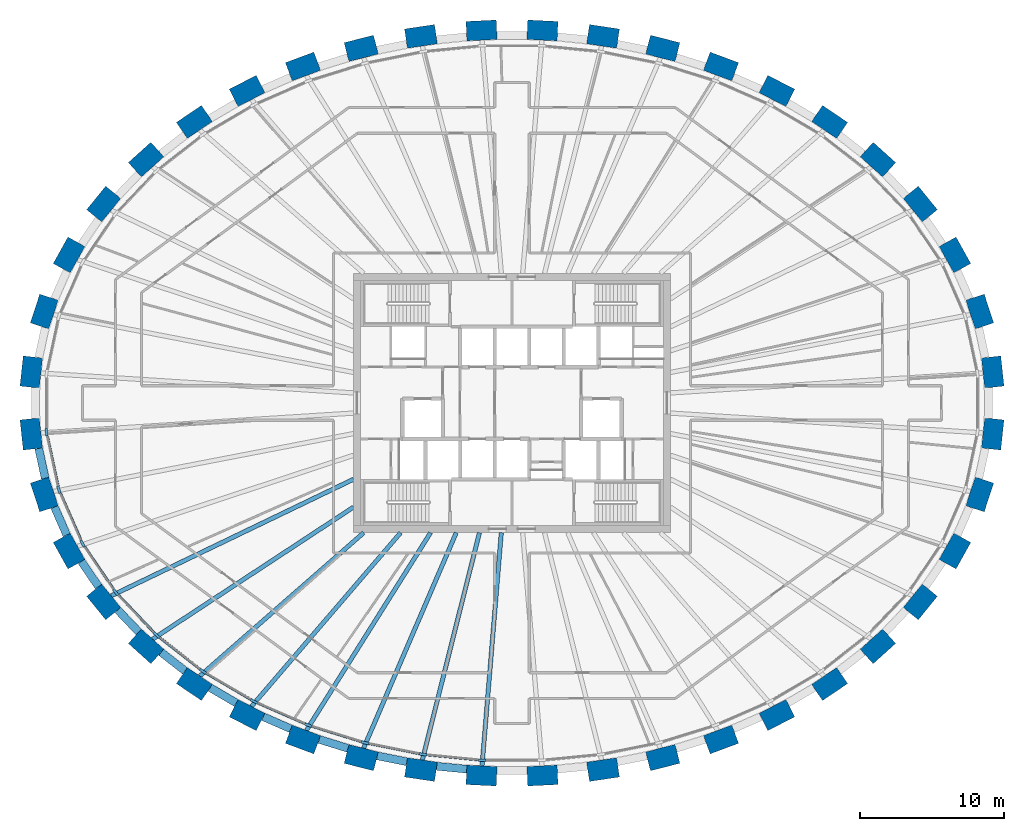
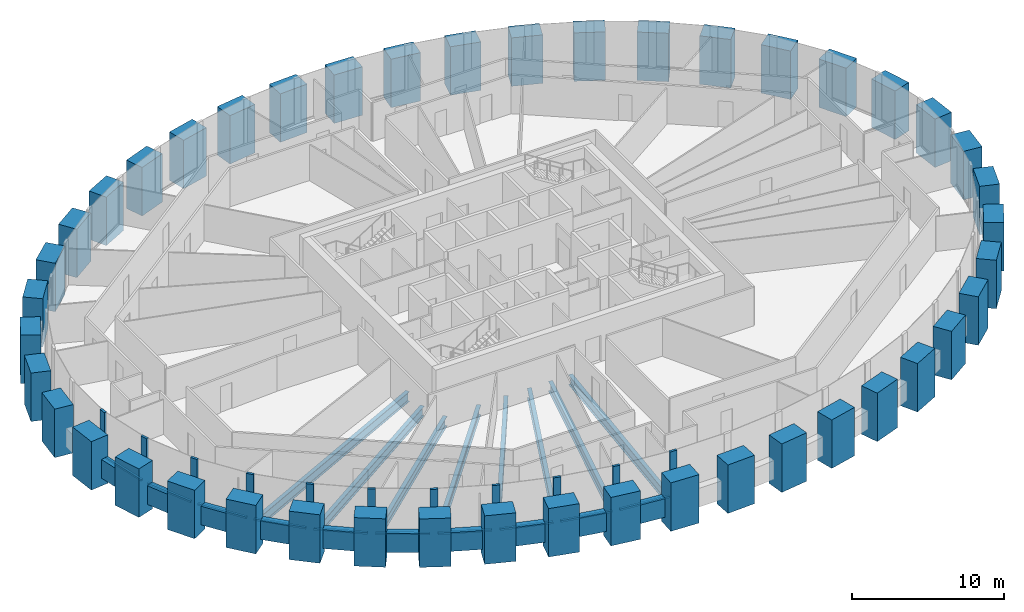
# One storey, part 1 of 12: 44 columns, 21 members, 18 beams, 1 element without a shape of its own.
"""IFC4 building model written with IfcOpenShell, lengths in metres."""

import ifcopenshell
import ifcopenshell.guid

model = None  # the IFC model being written
_history = None  # IfcOwnerHistory: only IFC2X3 demands one
_inside = {}  # id of a spatial element -> (the spatial element, [elements in it])
_under = {}  # id of a project, library or spatial element -> (it, [spatial elements below it])
_declared = {}  # id of a project -> (the project, [libraries it declares])
_typed = {}  # id of a type object -> (the type object, [elements of that type])
_made_of = {}  # id of a material, layer set ... -> (it, [elements and type objects made of it])


def new_model(schema):
    """Start an empty IFC model of exactly this schema.

    Asked for "IFC4X3", IfcOpenShell would pick the latest addendum, in which some entities
    have other attributes; the version numbers below select the first issue.
    IFC2X3 requires an IfcOwnerHistory on every rooted entity: one is made here for all.
    """
    global model, _history
    if schema == "IFC4X3":
        model = ifcopenshell.file(schema_version=(4, 3, 0, 0))
    else:
        model = ifcopenshell.file(schema=schema)
    _inside.clear()
    _under.clear()
    _declared.clear()
    _typed.clear()
    _made_of.clear()
    _history = None
    if model.schema == "IFC2X3":
        org = make("IfcOrganization", Name="unknown")
        user = make(
            "IfcPersonAndOrganization",
            ThePerson=make("IfcPerson", FamilyName="unknown"),
            TheOrganization=org,
        )
        app = make(
            "IfcApplication",
            ApplicationDeveloper=org,
            Version="unknown",
            ApplicationFullName="unknown",
            ApplicationIdentifier="unknown",
        )
        _history = make(
            "IfcOwnerHistory",
            OwningUser=user,
            OwningApplication=app,
            ChangeAction="ADDED",
            CreationDate=0,
        )
    return model


def make(cls, **values):
    """One entity of the class cls with the attributes given. An attribute that is None is left unset."""
    return model.create_entity(
        cls, **{name: value for name, value in values.items() if value is not None}
    )


def rooted(cls, **values):
    """An entity with a GlobalId (a new one), such as an element, a storey or a relation."""
    return make(cls, GlobalId=ifcopenshell.guid.new(), OwnerHistory=_history, **values)


def si_unit(unit_type, name, prefix=None):
    """IfcSIUnit, for example si_unit("LENGTHUNIT", "METRE", prefix="MILLI")."""
    return make("IfcSIUnit", UnitType=unit_type, Prefix=prefix, Name=name)


def assignment(units):
    """IfcUnitAssignment: the units of a project."""
    return None if units is None else make("IfcUnitAssignment", Units=units)


def point(xyz):
    """IfcCartesianPoint."""
    return None if xyz is None else make("IfcCartesianPoint", Coordinates=xyz)


def direction(xyz):
    """IfcDirection."""
    return None if xyz is None else make("IfcDirection", DirectionRatios=xyz)


def frame(location, z_axis=None, x_axis=None):
    """IfcAxis2Placement3D, a coordinate frame: its origin and axes. An axis left out is left unset."""
    return make(
        "IfcAxis2Placement3D",
        Location=point(location),
        Axis=direction(z_axis),
        RefDirection=direction(x_axis),
    )


def frame_2d(location, x_axis=None):
    """IfcAxis2Placement2D, a coordinate frame in the plane: its origin and x axis."""
    return make(
        "IfcAxis2Placement2D", Location=point(location), RefDirection=direction(x_axis)
    )


def origin():
    """The frame at (0, 0, 0) with its axes left unset."""
    return frame((0.0, 0.0, 0.0))


def origin_2d():
    """The frame at (0, 0) in the plane with its x axis left unset."""
    return frame_2d((0.0, 0.0))


def place(relative_to, where):
    """IfcLocalPlacement: puts the frame where relative to a parent placement (None: the world)."""
    return make(
        "IfcLocalPlacement", PlacementRelTo=relative_to, RelativePlacement=where
    )


def context(
    kind, dimensions, precision=None, world=None, true_north=None, identifier=None
):
    """IfcGeometricRepresentationContext, for example the 3D "Model" context."""
    return make(
        "IfcGeometricRepresentationContext",
        ContextIdentifier=identifier,
        ContextType=kind,
        CoordinateSpaceDimension=dimensions,
        Precision=precision,
        WorldCoordinateSystem=world,
        TrueNorth=true_north,
    )


def subcontext(parent, identifier, kind, view, scale=None):
    """IfcGeometricRepresentationSubContext, for example "Body" below "Model"."""
    return make(
        "IfcGeometricRepresentationSubContext",
        ContextIdentifier=identifier,
        ContextType=kind,
        ParentContext=parent,
        TargetScale=scale,
        TargetView=view,
    )


def project(units=None, contexts=None):
    """IfcProject with its units and contexts."""
    return rooted(
        "IfcProject",
        Name="project",
        RepresentationContexts=contexts,
        UnitsInContext=assignment(units),
    )


def spatial(cls, under=None, at=None, **own):
    """A site, building, storey or space (cls), placed at a placement, below another one or the project."""
    s = rooted(cls, ObjectPlacement=at, **own)
    if under is not None:
        _under.setdefault(under.id(), (under, []))[1].append(s)
    return s


def profile(cls, at=None, kind="AREA", **sizes):
    """A parametric profile (cls). Its sizes go by their IFC names, for example OverallWidth=200.0."""
    return make(cls, ProfileType=kind, Position=at, **sizes)


def rectangle(**sizes):
    """IfcRectangleProfileDef."""
    return profile("IfcRectangleProfileDef", **sizes)


def i_section(**sizes):
    """IfcIShapeProfileDef."""
    return profile("IfcIShapeProfileDef", **sizes)


def extrude(swept, where, along, depth):
    """IfcExtrudedAreaSolid: the profile swept, set in the frame where, extruded along a direction by depth."""
    return make(
        "IfcExtrudedAreaSolid",
        SweptArea=swept,
        Position=where,
        ExtrudedDirection=direction(along),
        Depth=depth,
    )


def shape(context_of_items, identifier, shape_type, items):
    """IfcShapeRepresentation: the items that make up one representation, for example the "Body"."""
    return make(
        "IfcShapeRepresentation",
        ContextOfItems=context_of_items,
        RepresentationIdentifier=identifier,
        RepresentationType=shape_type,
        Items=items,
    )


def source(mapping_origin, context_of_items, identifier, shape_type, items):
    """IfcRepresentationMap: a shape defined once, which mapped items show again and again."""
    return make(
        "IfcRepresentationMap",
        MappingOrigin=mapping_origin,
        MappedRepresentation=shape(context_of_items, identifier, shape_type, items),
    )


def transform(
    local_origin,
    x_axis=None,
    y_axis=None,
    z_axis=None,
    scale=None,
    scale2=None,
    scale3=None,
    uniform=True,
):
    """IfcCartesianTransformationOperator3D, or its non-uniform kind. x_axis, y_axis, z_axis: its Axis1, 2, 3."""
    if uniform:
        return make(
            "IfcCartesianTransformationOperator3D",
            Axis1=direction(x_axis),
            Axis2=direction(y_axis),
            LocalOrigin=point(local_origin),
            Scale=scale,
            Axis3=direction(z_axis),
        )
    return make(
        "IfcCartesianTransformationOperator3DnonUniform",
        Axis1=direction(x_axis),
        Axis2=direction(y_axis),
        LocalOrigin=point(local_origin),
        Scale=scale,
        Axis3=direction(z_axis),
        Scale2=scale2,
        Scale3=scale3,
    )


def mapped(mapping_source, mapping_target):
    """IfcMappedItem: shows the shape of a source again, moved by a transform."""
    return make(
        "IfcMappedItem", MappingSource=mapping_source, MappingTarget=mapping_target
    )


def material(Name=None, Category=None):
    """IfcMaterial."""
    return make("IfcMaterial", Name=Name, Category=Category)


def material_profile(
    of_material, cross_section, Name=None, Category=None, Priority=None
):
    """IfcMaterialProfile: a cross section and its material."""
    return make(
        "IfcMaterialProfile",
        Name=Name,
        Material=of_material,
        Profile=cross_section,
        Priority=Priority,
        Category=Category,
    )


def profile_set(profiles, Name=None, composite=None):
    """IfcMaterialProfileSet."""
    return make(
        "IfcMaterialProfileSet",
        Name=Name,
        MaterialProfiles=profiles,
        CompositeProfile=composite,
    )


def made_of(thing, what):
    """Note that an element or type object is made of a material, layer set ...; save() writes the relation."""
    if what is not None:
        _made_of.setdefault(what.id(), (what, []))[1].append(thing)
    return thing


def type_object(cls, material=None, **own):
    """A type object (cls), such as IfcWallType, which elements share."""
    return made_of(rooted(cls, **own), material)


def element(
    cls,
    number,
    at=None,
    inside=None,
    cuts=None,
    type_object=None,
    material=None,
    context=None,
    identifier="Body",
    shape_type=None,
    held_by="IfcProductDefinitionShape",
    body=None,
    shapes=None,
    **own,
):
    """One element of the class cls, such as IfcWall. Its Tag is "e" and its number.

    at: its placement. inside: the storey or other place that contains it. cuts: it is an
    opening in that element (IfcRelVoidsElement). A single representation is given by context,
    identifier, shape_type and body (its items); several are given by shapes. held_by: the class
    of the entity that holds the representations. save() writes the other relations.
    """
    e = rooted(cls, Tag="e%d" % number, ObjectPlacement=at, **own)
    if body is not None:
        shapes = [shape(context, identifier, shape_type, body)]
    if shapes is not None:
        e.Representation = make(held_by, Representations=shapes)
    if inside is not None:
        _inside.setdefault(inside.id(), (inside, []))[1].append(e)
    if cuts is not None:
        rooted(
            "IfcRelVoidsElement", RelatingBuildingElement=cuts, RelatedOpeningElement=e
        )
    if type_object is not None:
        _typed.setdefault(type_object.id(), (type_object, []))[1].append(e)
    return made_of(e, material)


def aggregate(whole, parts):
    """IfcRelAggregates: a whole, such as a stair, and the parts it consists of."""
    return rooted("IfcRelAggregates", RelatingObject=whole, RelatedObjects=parts)


def save(model, path):
    """Write the relations noted so far, then the file.

    IfcRelAggregates (storeys below a building ...), IfcRelContainedInSpatialStructure (elements
    in a storey), IfcRelDefinesByType, IfcRelAssociatesMaterial and IfcRelDeclares: one each for
    every whole, place, type object, material and project.
    """
    for whole, parts in _under.values():
        aggregate(whole, parts)
    for where, things in _inside.values():
        rooted(
            "IfcRelContainedInSpatialStructure",
            RelatedElements=things,
            RelatingStructure=where,
        )
    for kind, things in _typed.values():
        rooted("IfcRelDefinesByType", RelatedObjects=things, RelatingType=kind)
    for what, things in _made_of.values():
        rooted("IfcRelAssociatesMaterial", RelatedObjects=things, RelatingMaterial=what)
    for by, libraries in _declared.values():
        rooted("IfcRelDeclares", RelatingContext=by, RelatedDefinitions=libraries)
    model.write(path)


model = new_model("IFC4")

# Units and contexts
model_context = context("Model", 3, precision=1e-05, world=origin(), true_north=direction((0.0, 1.0)))
body_context = subcontext(model_context, "Body", "Model", "MODEL_VIEW")
ifc_project = project(units=[si_unit("LENGTHUNIT", "METRE"), si_unit("AREAUNIT", "SQUARE_METRE"), si_unit("VOLUMEUNIT", "CUBIC_METRE"), si_unit("PLANEANGLEUNIT", "RADIAN"), si_unit("MASSUNIT", "GRAM", prefix="KILO")], contexts=[model_context])

# Site, building, storey
site_placement = place(None, origin())
site = spatial("IfcSite", under=ifc_project, at=site_placement, CompositionType="ELEMENT")
building_placement = place(site_placement, origin())
building = spatial("IfcBuilding", under=site, at=building_placement, Name="Embergate Tower", CompositionType="ELEMENT")
storey_placement = place(building_placement, frame((0.0, 0.0, 250.0)))
storey = spatial("IfcBuildingStorey", under=building, at=storey_placement, Name="L57", CompositionType="ELEMENT", Elevation=250.0)

# Columns
ifc_material_1 = material(Name="Concrete C60", Category="concrete")
ifc_material_profile_1 = material_profile(ifc_material_1, rectangle(XDim=1.35009765625, YDim=2.10009765625, at=origin_2d()), Name="RC 1350x2100")
ifc_profile_set_1 = profile_set([ifc_material_profile_1], Name="Concrete C60")
column_type = type_object("IfcColumnType", Name="Ring column RC 1350x2100 C60", PredefinedType="COLUMN", material=ifc_profile_set_1)
shared_shape_1 = source(origin(), body_context, "Body", "SweptSolid", [
    extrude(rectangle(XDim=1.35009765625, YDim=2.10009765625, at=origin_2d()), origin(), (0.0, 0.0, 1.0), 3.89990234375),
])
for number, where, z_axis, x_axis, name in (
    (1, (33.364013671875, 2.14892578125, -1.39990234375), (0.0, 0.0, 1.0), (0.99428589498, 0.106749983816, 0.0), "COL-L57-00"),
    (2, (32.4609375, 6.346923828125, -1.39990234375), (0.0, 0.0, 1.0), (0.950754033697, 0.309946394413, 0.0), "COL-L57-01"),
    (3, (30.739990234375, 10.27197265625, -1.39990234375), (0.0, 0.0, 1.0), (0.873500465855, 0.486823311018, 0.0), "COL-L57-02"),
    (4, (28.3369140625, 13.805908203125, -1.39990234375), (0.0, 0.0, 1.0), (0.775925311702, 0.630824786022, 0.0), "COL-L57-03"),
    (5, (25.39501953125, 16.889892578125, -1.39990234375), (0.0, 0.0, 1.0), (0.669208424634, 0.74307475021, 0.0), "COL-L57-04"),
    (6, (22.0439453125, 19.506103515625, -1.39990234375), (0.0, 0.0, 1.0), (0.560393279442, 0.828226643109, 0.0), "COL-L57-05"),
    (7, (18.385986328125, 21.656982421875, -1.39990234375), (0.0, 0.0, 1.0), (0.453010512651, 0.891505174089, 0.0), "COL-L57-06"),
    (8, (14.5048828125, 23.35400390625, -1.39990234375), (0.0, 0.0, 1.0), (0.348343015724, 0.93736713373, 0.0), "COL-L57-07"),
    (9, (10.465087890625, 24.612060546875, -1.39990234375), (0.0, 0.0, 1.0), (0.24650851817, 0.969140624713, 0.0), "COL-L57-08"),
    (10, (6.319091796875, 25.444091796875, -1.39990234375), (0.0, 0.0, 1.0), (0.146929011949, 0.989147039346, 0.0), "COL-L57-09"),
    (11, (2.113037109375, 25.85693359375, -1.39990234375), (0.0, 0.0, 1.0), (0.048814904854, 0.998807841912, 0.0), "COL-L57-10"),
    (12, (-2.113037109375, 25.85693359375, -1.39990234375), (0.0, 0.0, 1.0), (-0.048814904854, 0.998807841912, 0.0), "COL-L57-11"),
    (13, (-6.319091796875, 25.444091796875, -1.39990234375), (0.0, 0.0, 1.0), (-0.146929011949, 0.989147039346, 0.0), "COL-L57-12"),
    (14, (-10.465087890625, 24.612060546875, -1.39990234375), (0.0, 0.0, 1.0), (-0.24650851817, 0.969140624713, 0.0), "COL-L57-13"),
    (15, (-14.5048828125, 23.35400390625, -1.39990234375), (0.0, 0.0, 1.0), (-0.348343015724, 0.93736713373, 0.0), "COL-L57-14"),
    (16, (-18.385986328125, 21.656982421875, -1.39990234375), (0.0, 0.0, 1.0), (-0.453010512651, 0.891505174089, 0.0), "COL-L57-15"),
    (17, (-22.0439453125, 19.506103515625, -1.39990234375), (0.0, 0.0, 1.0), (-0.560393279442, 0.828226643109, 0.0), "COL-L57-16"),
    (18, (-25.39501953125, 16.889892578125, -1.39990234375), (0.0, 0.0, 1.0), (-0.669208424634, 0.74307475021, 0.0), "COL-L57-17"),
    (19, (-28.3369140625, 13.805908203125, -1.39990234375), (0.0, 0.0, 1.0), (-0.775925311702, 0.630824786022, 0.0), "COL-L57-18"),
    (20, (-30.739990234375, 10.27197265625, -1.39990234375), (0.0, 0.0, 1.0), (-0.873500465855, 0.486823311018, 0.0), "COL-L57-19"),
    (21, (-32.4609375, 6.346923828125, -1.39990234375), (0.0, 0.0, 1.0), (-0.950754033697, 0.309946394413, 0.0), "COL-L57-20"),
    (22, (-33.364013671875, 2.14892578125, -1.39990234375), (0.0, 0.0, 1.0), (-0.99428589498, 0.106749983816, 0.0), "COL-L57-21"),
    (23, (-33.364013671875, -2.14892578125, -1.39990234375), (0.0, 0.0, 1.0), (-0.99428589498, -0.106749983816, 0.0), "COL-L57-22"),
    (24, (-32.4609375, -6.346923828125, -1.39990234375), (0.0, 0.0, 1.0), (-0.950754033697, -0.309946394413, 0.0), "COL-L57-23"),
    (25, (-30.739990234375, -10.27197265625, -1.39990234375), (0.0, 0.0, 1.0), (-0.873500465855, -0.486823311018, 0.0), "COL-L57-24"),
    (26, (-28.3369140625, -13.805908203125, -1.39990234375), (0.0, 0.0, 1.0), (-0.775925311702, -0.630824786022, 0.0), "COL-L57-25"),
    (27, (-25.39501953125, -16.889892578125, -1.39990234375), (0.0, 0.0, 1.0), (-0.669208424634, -0.74307475021, 0.0), "COL-L57-26"),
    (28, (-22.0439453125, -19.506103515625, -1.39990234375), (0.0, 0.0, 1.0), (-0.560393279442, -0.828226643109, 0.0), "COL-L57-27"),
    (29, (-18.385986328125, -21.656982421875, -1.39990234375), (0.0, 0.0, 1.0), (-0.453010512651, -0.891505174089, 0.0), "COL-L57-28"),
    (30, (-14.5048828125, -23.35400390625, -1.39990234375), (0.0, 0.0, 1.0), (-0.348343015724, -0.93736713373, 0.0), "COL-L57-29"),
    (31, (-10.465087890625, -24.612060546875, -1.39990234375), (0.0, 0.0, 1.0), (-0.24650851817, -0.969140624713, 0.0), "COL-L57-30"),
    (32, (-6.319091796875, -25.444091796875, -1.39990234375), (0.0, 0.0, 1.0), (-0.146929011949, -0.989147039346, 0.0), "COL-L57-31"),
    (33, (-2.113037109375, -25.85693359375, -1.39990234375), (0.0, 0.0, 1.0), (-0.048814904854, -0.998807841912, 0.0), "COL-L57-32"),
    (34, (2.113037109375, -25.85693359375, -1.39990234375), (0.0, 0.0, 1.0), (0.048814904854, -0.998807841912, 0.0), "COL-L57-33"),
    (35, (6.319091796875, -25.444091796875, -1.39990234375), (0.0, 0.0, 1.0), (0.146929011949, -0.989147039346, 0.0), "COL-L57-34"),
    (36, (10.465087890625, -24.612060546875, -1.39990234375), (0.0, 0.0, 1.0), (0.24650851817, -0.969140624713, 0.0), "COL-L57-35"),
    (37, (14.5048828125, -23.35400390625, -1.39990234375), (0.0, 0.0, 1.0), (0.348343015724, -0.93736713373, 0.0), "COL-L57-36"),
    (38, (18.385986328125, -21.656982421875, -1.39990234375), (0.0, 0.0, 1.0), (0.453010512651, -0.891505174089, 0.0), "COL-L57-37"),
    (39, (22.0439453125, -19.506103515625, -1.39990234375), (0.0, 0.0, 1.0), (0.560393279442, -0.828226643109, 0.0), "COL-L57-38"),
    (40, (25.39501953125, -16.889892578125, -1.39990234375), (0.0, 0.0, 1.0), (0.669208424634, -0.74307475021, 0.0), "COL-L57-39"),
    (41, (28.3369140625, -13.805908203125, -1.39990234375), (0.0, 0.0, 1.0), (0.775925311702, -0.630824786022, 0.0), "COL-L57-40"),
    (42, (30.739990234375, -10.27197265625, -1.39990234375), (0.0, 0.0, 1.0), (0.873500465855, -0.486823311018, 0.0), "COL-L57-41"),
    (43, (32.4609375, -6.346923828125, -1.39990234375), (0.0, 0.0, 1.0), (0.950754033697, -0.309946394413, 0.0), "COL-L57-42"),
    (44, (33.364013671875, -2.14892578125, -1.39990234375), (0.0, 0.0, 1.0), (0.99428589498, -0.106749983816, 0.0), "COL-L57-43"),
):
    element("IfcColumn", number, at=place(storey_placement, frame(where, z_axis=z_axis, x_axis=x_axis)), inside=storey, type_object=column_type, Name=name, PredefinedType="COLUMN", context=body_context, shape_type="MappedRepresentation", body=[
        mapped(shared_shape_1, transform((0.0, 0.0, 0.0))),
    ])

# Beams
ifc_material_profile_2 = material_profile(ifc_material_1, rectangle(XDim=0.550048828125, YDim=1.5, at=origin_2d()), Name="RC 550x1500")
ifc_profile_set_2 = profile_set([ifc_material_profile_2], Name="Concrete C60")
beam_type_1 = type_object("IfcBeamType", Name="Spandrel beam RC 550x1500 C60", PredefinedType="BEAM", material=ifc_profile_set_2)
shared_shape_2 = source(origin(), body_context, "Body", "SweptSolid", [
    extrude(rectangle(XDim=0.550048828125, YDim=1.5, at=origin_2d()), origin(), (0.0, 0.0, 1.0), 2.121337890625),
])
beam_1_placement = place(storey_placement, frame((-32.845947265625, -3.14892578125, 0.0), z_axis=(0.210259959119, -0.977645513257, 0.0), x_axis=(0.977645513257, 0.210259959119, 0.0)))
element("IfcBeam", 45, at=beam_1_placement, inside=storey, type_object=beam_type_1, Name="SPN-L57-22", PredefinedType="BEAM", context=body_context, shape_type="MappedRepresentation", body=[
    mapped(shared_shape_2, transform((0.0, 0.0, 0.0))),
])
shared_shape_3 = source(origin(), body_context, "Body", "SweptSolid", [
    extrude(rectangle(XDim=0.550048828125, YDim=1.5, at=origin_2d()), origin(), (0.0, 0.0, 1.0), 2.118408203125),
])
beam_2_placement = place(storey_placement, frame((-31.75390625, -7.220947265625, 0.0), z_axis=(0.401653016285, -0.915791927519, 0.0), x_axis=(0.915791927519, 0.401653016285, 0.0)))
element("IfcBeam", 46, at=beam_2_placement, inside=storey, type_object=beam_type_1, Name="SPN-L57-23", PredefinedType="BEAM", context=body_context, shape_type="MappedRepresentation", body=[
    mapped(shared_shape_3, transform((0.0, 0.0, 0.0))),
])
shared_shape_4 = source(origin(), body_context, "Body", "SweptSolid", [
    extrude(rectangle(XDim=0.550048828125, YDim=1.5, at=origin_2d()), origin(), (0.0, 0.0, 1.0), 2.113525390625),
])
beam_3_placement = place(storey_placement, frame((-29.885986328125, -10.998046875, 0.0), z_axis=(0.562088832066, -0.827076867569, 0.0), x_axis=(0.827076867569, 0.562088832066, 0.0)))
element("IfcBeam", 47, at=beam_3_placement, inside=storey, type_object=beam_type_1, Name="SPN-L57-24", PredefinedType="BEAM", context=body_context, shape_type="MappedRepresentation", body=[
    mapped(shared_shape_4, transform((0.0, 0.0, 0.0))),
])
shared_shape_5 = source(origin(), body_context, "Body", "SweptSolid", [
    extrude(rectangle(XDim=0.550048828125, YDim=1.5, at=origin_2d()), origin(), (0.0, 0.0, 1.0), 2.1064453125),
])
beam_4_placement = place(storey_placement, frame((-27.362060546875, -14.366943359375, 0.0), z_axis=(0.690280012813, -0.723542330421, 0.0), x_axis=(0.723542330421, 0.690280012813, 0.0)))
element("IfcBeam", 48, at=beam_4_placement, inside=storey, type_object=beam_type_1, Name="SPN-L57-25", PredefinedType="BEAM", context=body_context, shape_type="MappedRepresentation", body=[
    mapped(shared_shape_5, transform((0.0, 0.0, 0.0))),
])
shared_shape_6 = source(origin(), body_context, "Body", "SweptSolid", [
    extrude(rectangle(XDim=0.550048828125, YDim=1.5, at=origin_2d()), origin(), (0.0, 0.0, 1.0), 2.101806640625),
])
beam_5_placement = place(storey_placement, frame((-24.35205078125, -17.301025390625, 0.0), z_axis=(0.78838173926, -0.615186340227, 0.0), x_axis=(0.615186340227, 0.78838173926, 0.0)))
element("IfcBeam", 49, at=beam_5_placement, inside=storey, type_object=beam_type_1, Name="SPN-L57-26", PredefinedType="BEAM", context=body_context, shape_type="MappedRepresentation", body=[
    mapped(shared_shape_6, transform((0.0, 0.0, 0.0))),
])
shared_shape_7 = source(origin(), body_context, "Body", "SweptSolid", [
    extrude(rectangle(XDim=0.550048828125, YDim=1.5, at=origin_2d()), origin(), (0.0, 0.0, 1.0), 2.097412109375),
])
beam_6_placement = place(storey_placement, frame((-20.947021484375, -19.758056640625, 0.0), z_axis=(0.862059864985, -0.506806461267, 0.0), x_axis=(0.506806461267, 0.862059864985, 0.0)))
element("IfcBeam", 50, at=beam_6_placement, inside=storey, type_object=beam_type_1, Name="SPN-L57-27", PredefinedType="BEAM", context=body_context, shape_type="MappedRepresentation", body=[
    mapped(shared_shape_7, transform((0.0, 0.0, 0.0))),
])
shared_shape_8 = source(origin(), body_context, "Body", "SweptSolid", [
    extrude(rectangle(XDim=0.550048828125, YDim=1.5, at=origin_2d()), origin(), (0.0, 0.0, 1.0), 2.093994140625),
])
beam_7_placement = place(storey_placement, frame((-17.26904296875, -21.77587890625, 0.0), z_axis=(0.916403340616, -0.400256064674, 0.0), x_axis=(0.400256064674, 0.916403340616, 0.0)))
element("IfcBeam", 51, at=beam_7_placement, inside=storey, type_object=beam_type_1, Name="SPN-L57-28", PredefinedType="BEAM", context=body_context, shape_type="MappedRepresentation", body=[
    mapped(shared_shape_8, transform((0.0, 0.0, 0.0))),
])
shared_shape_9 = source(origin(), body_context, "Body", "SweptSolid", [
    extrude(rectangle(XDim=0.550048828125, YDim=1.5, at=origin_2d()), origin(), (0.0, 0.0, 1.0), 2.092529296875),
])
beam_8_placement = place(storey_placement, frame((-13.383056640625, -23.347900390625, 0.0), z_axis=(0.954794982035, -0.297265104378, 0.0), x_axis=(0.297265104378, 0.954794982035, 0.0)))
element("IfcBeam", 52, at=beam_8_placement, inside=storey, type_object=beam_type_1, Name="SPN-L57-29", PredefinedType="BEAM", context=body_context, shape_type="MappedRepresentation", body=[
    mapped(shared_shape_9, transform((0.0, 0.0, 0.0))),
])
shared_shape_10 = source(origin(), body_context, "Body", "SweptSolid", [
    extrude(rectangle(XDim=0.550048828125, YDim=1.5, at=origin_2d()), origin(), (0.0, 0.0, 1.0), 2.0908203125),
])
beam_9_placement = place(storey_placement, frame((-9.35009765625, -24.489990234375, 0.0), z_axis=(0.980499753095, -0.196520314929, 0.0), x_axis=(0.196520314929, 0.980499753095, 0.0)))
element("IfcBeam", 53, at=beam_9_placement, inside=storey, type_object=beam_type_1, Name="SPN-L57-30", PredefinedType="BEAM", context=body_context, shape_type="MappedRepresentation", body=[
    mapped(shared_shape_10, transform((0.0, 0.0, 0.0))),
])
shared_shape_11 = source(origin(), body_context, "Body", "SweptSolid", [
    extrude(rectangle(XDim=0.550048828125, YDim=1.5, at=origin_2d()), origin(), (0.0, 0.0, 1.0), 2.08984375),
])
beam_10_placement = place(storey_placement, frame((-5.222900390625, -25.2109375, 0.0), z_axis=(0.995219400888, -0.097664446431, 0.0), x_axis=(0.097664446431, 0.995219400888, 0.0)))
element("IfcBeam", 54, at=beam_10_placement, inside=storey, type_object=beam_type_1, Name="SPN-L57-31", PredefinedType="BEAM", context=body_context, shape_type="MappedRepresentation", body=[
    mapped(shared_shape_11, transform((0.0, 0.0, 0.0))),
])
ifc_material_2 = material(Name="Steel Q355B", Category="steel")
ifc_material_profile_3 = material_profile(ifc_material_2, i_section(OverallWidth=0.300048828125, OverallDepth=0.800048828125, WebThickness=0.013916015625, FlangeThickness=0.02587890625, FilletRadius=0.028076171875, at=origin_2d()), Name="HN 800x300x14x26")
ifc_profile_set_3 = profile_set([ifc_material_profile_3], Name="Steel Q355 grade B")
beam_type_2 = type_object("IfcBeamType", Name="Radial girder HN 800x300x14x26", PredefinedType="BEAM", material=ifc_profile_set_3)
shared_shape_12 = source(origin(), body_context, "Body", "SweptSolid", [
    extrude(i_section(OverallWidth=0.300048828125, OverallDepth=0.800048828125, WebThickness=0.013916015625, FlangeThickness=0.02587890625, FilletRadius=0.028076171875, at=origin_2d()), origin(), (0.0, 0.0, 1.0), 18.6572265625),
])
beam_11_placement = place(storey_placement, frame((-27.81298828125, -13.3798828125, -0.60009765625), z_axis=(0.901153541631, 0.433500051218, 0.0), x_axis=(-0.433500051218, 0.901153541631, 0.0)))
element("IfcBeam", 55, at=beam_11_placement, inside=storey, type_object=beam_type_2, Name="GIR-L57-25", PredefinedType="BEAM", context=body_context, shape_type="MappedRepresentation", body=[
    mapped(shared_shape_12, transform((0.0, 0.0, 0.0))),
])
shared_shape_13 = source(origin(), body_context, "Body", "SweptSolid", [
    extrude(i_section(OverallWidth=0.300048828125, OverallDepth=0.800048828125, WebThickness=0.013916015625, FlangeThickness=0.02587890625, FilletRadius=0.028076171875, at=origin_2d()), origin(), (0.0, 0.0, 1.0), 16.683349609375),
])
beam_12_placement = place(storey_placement, frame((-24.943115234375, -16.387939453125, -0.60009765625), z_axis=(0.835753065735, 0.549105466295, 0.0), x_axis=(-0.549105466295, 0.835753065735, 0.0)))
element("IfcBeam", 56, at=beam_12_placement, inside=storey, type_object=beam_type_2, Name="GIR-L57-26", PredefinedType="BEAM", context=body_context, shape_type="MappedRepresentation", body=[
    mapped(shared_shape_13, transform((0.0, 0.0, 0.0))),
])
shared_shape_14 = source(origin(), body_context, "Body", "SweptSolid", [
    extrude(i_section(OverallWidth=0.300048828125, OverallDepth=0.800048828125, WebThickness=0.013916015625, FlangeThickness=0.02587890625, FilletRadius=0.028076171875, at=origin_2d()), origin(), (0.0, 0.0, 1.0), 15.11083984375),
])
beam_13_placement = place(storey_placement, frame((-21.666015625, -18.947021484375, -0.60009765625), z_axis=(0.752776832469, 0.658275808836, 0.0), x_axis=(-0.658275808836, 0.752776832469, 0.0)))
element("IfcBeam", 57, at=beam_13_placement, inside=storey, type_object=beam_type_2, Name="GIR-L57-27", PredefinedType="BEAM", context=body_context, shape_type="MappedRepresentation", body=[
    mapped(shared_shape_14, transform((0.0, 0.0, 0.0))),
])
shared_shape_15 = source(origin(), body_context, "Body", "SweptSolid", [
    extrude(i_section(OverallWidth=0.300048828125, OverallDepth=0.800048828125, WebThickness=0.013916015625, FlangeThickness=0.02587890625, FilletRadius=0.028076171875, at=origin_2d()), origin(), (0.0, 0.0, 1.0), 15.889892578125),
])
beam_14_placement = place(storey_placement, frame((-18.080078125, -21.054931640625, -0.60009765625), z_axis=(0.651489554498, 0.75865760418, 0.0), x_axis=(-0.75865760418, 0.651489554498, 0.0)))
element("IfcBeam", 58, at=beam_14_placement, inside=storey, type_object=beam_type_2, Name="GIR-L57-28", PredefinedType="BEAM", context=body_context, shape_type="MappedRepresentation", body=[
    mapped(shared_shape_15, transform((0.0, 0.0, 0.0))),
])
shared_shape_16 = source(origin(), body_context, "Body", "SweptSolid", [
    extrude(i_section(OverallWidth=0.300048828125, OverallDepth=0.800048828125, WebThickness=0.013916015625, FlangeThickness=0.02587890625, FilletRadius=0.028076171875, at=origin_2d()), origin(), (0.0, 0.0, 1.0), 16.202880859375),
])
beam_15_placement = place(storey_placement, frame((-14.27001953125, -22.720947265625, -0.60009765625), z_axis=(0.531876197459, 0.84682212452, 0.0), x_axis=(-0.84682212452, 0.531876197459, 0.0)))
element("IfcBeam", 59, at=beam_15_placement, inside=storey, type_object=beam_type_2, Name="GIR-L57-29", PredefinedType="BEAM", context=body_context, shape_type="MappedRepresentation", body=[
    mapped(shared_shape_16, transform((0.0, 0.0, 0.0))),
])
shared_shape_17 = source(origin(), body_context, "Body", "SweptSolid", [
    extrude(i_section(OverallWidth=0.300048828125, OverallDepth=0.800048828125, WebThickness=0.013916015625, FlangeThickness=0.02587890625, FilletRadius=0.028076171875, at=origin_2d()), origin(), (0.0, 0.0, 1.0), 16.281494140625),
])
beam_16_placement = place(storey_placement, frame((-10.299072265625, -23.9580078125, -0.60009765625), z_axis=(0.394936126448, 0.918708580577, 0.0), x_axis=(-0.918708580577, 0.394936126448, 0.0)))
element("IfcBeam", 60, at=beam_16_placement, inside=storey, type_object=beam_type_2, Name="GIR-L57-30", PredefinedType="BEAM", context=body_context, shape_type="MappedRepresentation", body=[
    mapped(shared_shape_17, transform((0.0, 0.0, 0.0))),
])
shared_shape_18 = source(origin(), body_context, "Body", "SweptSolid", [
    extrude(i_section(OverallWidth=0.300048828125, OverallDepth=0.800048828125, WebThickness=0.013916015625, FlangeThickness=0.02587890625, FilletRadius=0.028076171875, at=origin_2d()), origin(), (0.0, 0.0, 1.0), 16.265625),
])
beam_17_placement = place(storey_placement, frame((-6.219970703125, -24.77587890625, -0.60009765625), z_axis=(0.243517311552, 0.969896550656, 0.0), x_axis=(-0.969896550656, 0.243517311552, 0.0)))
element("IfcBeam", 61, at=beam_17_placement, inside=storey, type_object=beam_type_2, Name="GIR-L57-31", PredefinedType="BEAM", context=body_context, shape_type="MappedRepresentation", body=[
    mapped(shared_shape_18, transform((0.0, 0.0, 0.0))),
])
shared_shape_19 = source(origin(), body_context, "Body", "SweptSolid", [
    extrude(i_section(OverallWidth=0.300048828125, OverallDepth=0.800048828125, WebThickness=0.013916015625, FlangeThickness=0.02587890625, FilletRadius=0.028076171875, at=origin_2d()), origin(), (0.0, 0.0, 1.0), 16.23828125),
])
beam_18_placement = place(storey_placement, frame((-2.080078125, -25.18310546875, -0.60009765625), z_axis=(0.082346180741, 0.996603786124, 0.0), x_axis=(-0.996603786124, 0.082346180741, 0.0)))
element("IfcBeam", 62, at=beam_18_placement, inside=storey, type_object=beam_type_2, Name="GIR-L57-32", PredefinedType="BEAM", context=body_context, shape_type="MappedRepresentation", body=[
    mapped(shared_shape_19, transform((0.0, 0.0, 0.0))),
])

# Curtain wall, members
ifc_material_3 = material(Name="Aluminium and glass", Category="aluminium")
curtain_wall_type = type_object("IfcCurtainWallType", Name="Recessed office glazing", PredefinedType="NOTDEFINED", material=ifc_material_3)
curtain_wall_placement = place(storey_placement, origin())
curtain_wall = element("IfcCurtainWall", 63, at=curtain_wall_placement, inside=storey, type_object=curtain_wall_type, Name="Recessed office glazing ring", ObjectType="RECESSED OFFICE GLAZING", PredefinedType="USERDEFINED")
ifc_material_4 = material(Name="Aluminium, thermally broken", Category="aluminium")
ifc_material_profile_4 = material_profile(ifc_material_4, rectangle(XDim=0.179931640625, YDim=0.52001953125, at=origin_2d()), Name="AL 520x180")
ifc_profile_set_4 = profile_set([ifc_material_profile_4], Name="Aluminium, thermally broken")
member_type_1 = type_object("IfcMemberType", Name="Office mullion", PredefinedType="MULLION", material=ifc_profile_set_4)
shared_shape_20 = source(origin(), body_context, "Body", "SweptSolid", [
    extrude(rectangle(XDim=0.179931640625, YDim=0.52001953125, at=origin_2d()), origin(), (0.0, 0.0, 1.0), 3.699951171875),
])
member_1_placement = place(storey_placement, frame((-32.304931640625, -2.03515625, 0.0), z_axis=(0.0, 0.0, 1.0), x_axis=(0.994384585337, 0.105826728403, 0.0)))
member_1 = element("IfcMember", 64, at=member_1_placement, type_object=member_type_1, Name="CW mullion 23", PredefinedType="MULLION", context=body_context, shape_type="MappedRepresentation", body=[
    mapped(shared_shape_20, transform((0.0, 0.0, 0.0))),
])
member_2_placement = place(storey_placement, frame((-31.447998046875, -6.01708984375, 0.0), z_axis=(0.0, 0.0, 1.0), x_axis=(0.951495650128, 0.307662197527, 0.0)))
member_2 = element("IfcMember", 65, at=member_2_placement, type_object=member_type_1, Name="CW mullion 24", PredefinedType="MULLION", context=body_context, shape_type="MappedRepresentation", body=[
    mapped(shared_shape_20, transform((0.0, 0.0, 0.0))),
])
member_3_placement = place(storey_placement, frame((-29.809326171875, -9.753173828125, 0.0), z_axis=(0.0, 0.0, 1.0), x_axis=(0.874997671059, 0.484127127562, 0.0)))
member_3 = element("IfcMember", 66, at=member_3_placement, type_object=member_type_1, Name="CW mullion 25", PredefinedType="MULLION", context=body_context, shape_type="MappedRepresentation", body=[
    mapped(shared_shape_20, transform((0.0, 0.0, 0.0))),
])
member_4_placement = place(storey_placement, frame((-27.51025390625, -13.134033203125, 0.0), z_axis=(0.0, 0.0, 1.0), x_axis=(0.777868177123, 0.628427481114, 0.0)))
member_4 = element("IfcMember", 67, at=member_4_placement, type_object=member_type_1, Name="CW mullion 26", PredefinedType="MULLION", context=body_context, shape_type="MappedRepresentation", body=[
    mapped(shared_shape_20, transform((0.0, 0.0, 0.0))),
])
member_5_placement = place(storey_placement, frame((-24.682861328125, -16.098876953125, 0.0), z_axis=(0.0, 0.0, 1.0), x_axis=(0.671223946494, 0.741254621337, 0.0)))
member_5 = element("IfcMember", 68, at=member_5_placement, type_object=member_type_1, Name="CW mullion 27", PredefinedType="MULLION", context=body_context, shape_type="MappedRepresentation", body=[
    mapped(shared_shape_20, transform((0.0, 0.0, 0.0))),
])
member_6_placement = place(storey_placement, frame((-21.447265625, -18.624267578125, 0.0), z_axis=(0.0, 0.0, 1.0), x_axis=(0.562214731803, 0.826991290972, 0.0)))
member_6 = element("IfcMember", 69, at=member_6_placement, type_object=member_type_1, Name="CW mullion 28", PredefinedType="MULLION", context=body_context, shape_type="MappedRepresentation", body=[
    mapped(shared_shape_20, transform((0.0, 0.0, 0.0))),
])
member_7_placement = place(storey_placement, frame((-17.904052734375, -20.707275390625, 0.0), z_axis=(0.0, 0.0, 1.0), x_axis=(0.454509825889, 0.890741723605, 0.0)))
member_7 = element("IfcMember", 70, at=member_7_placement, type_object=member_type_1, Name="CW mullion 29", PredefinedType="MULLION", context=body_context, shape_type="MappedRepresentation", body=[
    mapped(shared_shape_20, transform((0.0, 0.0, 0.0))),
])
member_8_placement = place(storey_placement, frame((-14.1337890625, -22.35595703125, 0.0), z_axis=(0.0, 0.0, 1.0), x_axis=(0.349502682851, 0.936935363128, 0.0)))
member_8 = element("IfcMember", 71, at=member_8_placement, type_object=member_type_1, Name="CW mullion 30", PredefinedType="MULLION", context=body_context, shape_type="MappedRepresentation", body=[
    mapped(shared_shape_20, transform((0.0, 0.0, 0.0))),
])
member_9_placement = place(storey_placement, frame((-10.2021484375, -23.580322265625, 0.0), z_axis=(0.0, 0.0, 1.0), x_axis=(0.24731188137, 0.968935928394, 0.0)))
member_9 = element("IfcMember", 72, at=member_9_placement, type_object=member_type_1, Name="CW mullion 31", PredefinedType="MULLION", context=body_context, shape_type="MappedRepresentation", body=[
    mapped(shared_shape_20, transform((0.0, 0.0, 0.0))),
])
member_10_placement = place(storey_placement, frame((-6.16259765625, -24.390380859375, 0.0), z_axis=(0.0, 0.0, 1.0), x_axis=(0.147412382818, 0.989075118174, 0.0)))
member_10 = element("IfcMember", 73, at=member_10_placement, type_object=member_type_1, Name="CW mullion 32", PredefinedType="MULLION", context=body_context, shape_type="MappedRepresentation", body=[
    mapped(shared_shape_20, transform((0.0, 0.0, 0.0))),
])
member_11_placement = place(storey_placement, frame((-2.060791015625, -24.793701171875, 0.0), z_axis=(0.0, 0.0, 1.0), x_axis=(0.048971796621, 0.998800161762, 0.0)))
member_11 = element("IfcMember", 74, at=member_11_placement, type_object=member_type_1, Name="CW mullion 33", PredefinedType="MULLION", context=body_context, shape_type="MappedRepresentation", body=[
    mapped(shared_shape_20, transform((0.0, 0.0, 0.0))),
])
ifc_material_profile_5 = material_profile(ifc_material_4, rectangle(XDim=0.179931640625, YDim=0.14990234375, at=origin_2d()), Name="AL 150x180")
ifc_profile_set_5 = profile_set([ifc_material_profile_5], Name="Aluminium, thermally broken")
member_type_2 = type_object("IfcMemberType", Name="Office sill transom", PredefinedType="USERDEFINED", material=ifc_profile_set_5)
shared_shape_21 = source(origin(), body_context, "Body", "SweptSolid", [
    extrude(rectangle(XDim=0.179931640625, YDim=0.14990234375, at=origin_2d()), origin(), (0.0, 0.0, 1.0), 3.552978515625),
])
member_12_placement = place(storey_placement, frame((-32.250244140625, -2.289306640625, 0.074951171875), z_axis=(0.210406550267, -0.977613974739, 0.0), x_axis=(0.977613974739, 0.210406550267, 0.0)))
member_12 = element("IfcMember", 75, at=member_12_placement, type_object=member_type_2, Name="CW transom 23.1", ObjectType="TRANSOM", PredefinedType="USERDEFINED", context=body_context, shape_type="MappedRepresentation", body=[
    mapped(shared_shape_21, transform((0.0, 0.0, 0.0))),
])
shared_shape_22 = source(origin(), body_context, "Body", "SweptSolid", [
    extrude(rectangle(XDim=0.179931640625, YDim=0.14990234375, at=origin_2d()), origin(), (0.0, 0.0, 1.0), 3.559814453125),
])
member_13_placement = place(storey_placement, frame((-31.343505859375, -6.255126953125, 0.074951171875), z_axis=(0.401628194201, -0.915802813723, 0.0), x_axis=(0.915802813723, 0.401628194201, 0.0)))
member_13 = element("IfcMember", 76, at=member_13_placement, type_object=member_type_2, Name="CW transom 24.1", ObjectType="TRANSOM", PredefinedType="USERDEFINED", context=body_context, shape_type="MappedRepresentation", body=[
    mapped(shared_shape_22, transform((0.0, 0.0, 0.0))),
])
shared_shape_23 = source(origin(), body_context, "Body", "SweptSolid", [
    extrude(rectangle(XDim=0.179931640625, YDim=0.14990234375, at=origin_2d()), origin(), (0.0, 0.0, 1.0), 3.568359375),
])
member_14_placement = place(storey_placement, frame((-29.6630859375, -9.96826171875, 0.074951171875), z_axis=(0.562334349522, -0.826909958428, 0.0), x_axis=(0.826909958428, 0.562334349522, 0.0)))
member_14 = element("IfcMember", 77, at=member_14_placement, type_object=member_type_2, Name="CW transom 25.1", ObjectType="TRANSOM", PredefinedType="USERDEFINED", context=body_context, shape_type="MappedRepresentation", body=[
    mapped(shared_shape_23, transform((0.0, 0.0, 0.0))),
])
shared_shape_24 = source(origin(), body_context, "Body", "SweptSolid", [
    extrude(rectangle(XDim=0.179931640625, YDim=0.14990234375, at=origin_2d()), origin(), (0.0, 0.0, 1.0), 3.576904296875),
])
member_15_placement = place(storey_placement, frame((-27.330810546875, -13.322265625, 0.074951171875), z_axis=(0.69011690361, -0.72369790614, 0.0), x_axis=(0.72369790614, 0.69011690361, 0.0)))
member_15 = element("IfcMember", 78, at=member_15_placement, type_object=member_type_2, Name="CW transom 26.1", ObjectType="TRANSOM", PredefinedType="USERDEFINED", context=body_context, shape_type="MappedRepresentation", body=[
    mapped(shared_shape_24, transform((0.0, 0.0, 0.0))),
])
shared_shape_25 = source(origin(), body_context, "Body", "SweptSolid", [
    extrude(rectangle(XDim=0.179931640625, YDim=0.14990234375, at=origin_2d()), origin(), (0.0, 0.0, 1.0), 3.58447265625),
])
member_16_placement = place(storey_placement, frame((-24.477783203125, -16.2587890625, 0.074951171875), z_axis=(0.788327869744, -0.61525536957, 0.0), x_axis=(0.61525536957, 0.788327869744, 0.0)))
member_16 = element("IfcMember", 79, at=member_16_placement, type_object=member_type_2, Name="CW transom 27.1", ObjectType="TRANSOM", PredefinedType="USERDEFINED", context=body_context, shape_type="MappedRepresentation", body=[
    mapped(shared_shape_25, transform((0.0, 0.0, 0.0))),
])
shared_shape_26 = source(origin(), body_context, "Body", "SweptSolid", [
    extrude(rectangle(XDim=0.179931640625, YDim=0.14990234375, at=origin_2d()), origin(), (0.0, 0.0, 1.0), 3.59033203125),
])
member_17_placement = place(storey_placement, frame((-21.22314453125, -18.756103515625, 0.074951171875), z_axis=(0.862054810365, -0.506815058898, 0.0), x_axis=(0.506815058898, 0.862054810365, 0.0)))
member_17 = element("IfcMember", 80, at=member_17_placement, type_object=member_type_2, Name="CW transom 28.1", ObjectType="TRANSOM", PredefinedType="USERDEFINED", context=body_context, shape_type="MappedRepresentation", body=[
    mapped(shared_shape_26, transform((0.0, 0.0, 0.0))),
])
shared_shape_27 = source(origin(), body_context, "Body", "SweptSolid", [
    extrude(rectangle(XDim=0.179931640625, YDim=0.14990234375, at=origin_2d()), origin(), (0.0, 0.0, 1.0), 3.594482421875),
])
member_18_placement = place(storey_placement, frame((-17.665771484375, -20.8115234375, 0.074951171875), z_axis=(0.916229025025, -0.400654930958, 0.0), x_axis=(0.400654930958, 0.916229025025, 0.0)))
member_18 = element("IfcMember", 81, at=member_18_placement, type_object=member_type_2, Name="CW transom 29.1", ObjectType="TRANSOM", PredefinedType="USERDEFINED", context=body_context, shape_type="MappedRepresentation", body=[
    mapped(shared_shape_27, transform((0.0, 0.0, 0.0))),
])
shared_shape_28 = source(origin(), body_context, "Body", "SweptSolid", [
    extrude(rectangle(XDim=0.179931640625, YDim=0.14990234375, at=origin_2d()), origin(), (0.0, 0.0, 1.0), 3.59814453125),
])
member_19_placement = place(storey_placement, frame((-13.8857421875, -22.43310546875, 0.074951171875), z_axis=(0.954772906147, -0.297336001332, 0.0), x_axis=(0.297336001332, 0.954772906147, 0.0)))
member_19 = element("IfcMember", 82, at=member_19_placement, type_object=member_type_2, Name="CW transom 30.1", ObjectType="TRANSOM", PredefinedType="USERDEFINED", context=body_context, shape_type="MappedRepresentation", body=[
    mapped(shared_shape_28, transform((0.0, 0.0, 0.0))),
])
shared_shape_29 = source(origin(), body_context, "Body", "SweptSolid", [
    extrude(rectangle(XDim=0.179931640625, YDim=0.14990234375, at=origin_2d()), origin(), (0.0, 0.0, 1.0), 3.60009765625),
])
member_20_placement = place(storey_placement, frame((-9.947265625, -23.63134765625, 0.074951171875), z_axis=(0.980470975214, -0.196663842033, 0.0), x_axis=(0.196663842033, 0.980470975214, 0.0)))
member_20 = element("IfcMember", 83, at=member_20_placement, type_object=member_type_2, Name="CW transom 31.1", ObjectType="TRANSOM", PredefinedType="USERDEFINED", context=body_context, shape_type="MappedRepresentation", body=[
    mapped(shared_shape_29, transform((0.0, 0.0, 0.0))),
])
shared_shape_30 = source(origin(), body_context, "Body", "SweptSolid", [
    extrude(rectangle(XDim=0.179931640625, YDim=0.14990234375, at=origin_2d()), origin(), (0.0, 0.0, 1.0), 3.6015625),
])
member_21_placement = place(storey_placement, frame((-5.90380859375, -24.416015625, 0.074951171875), z_axis=(0.995204228817, -0.097818929377, 0.0), x_axis=(0.097818929377, 0.995204228817, 0.0)))
member_21 = element("IfcMember", 84, at=member_21_placement, type_object=member_type_2, Name="CW transom 32.1", ObjectType="TRANSOM", PredefinedType="USERDEFINED", context=body_context, shape_type="MappedRepresentation", body=[
    mapped(shared_shape_30, transform((0.0, 0.0, 0.0))),
])
aggregate(curtain_wall, [member_1, member_2, member_3, member_4, member_5, member_6, member_7, member_8, member_9, member_10, member_11, member_12, member_13, member_14, member_15, member_16, member_17, member_18, member_19, member_20, member_21])

save(model, "model.ifc")
